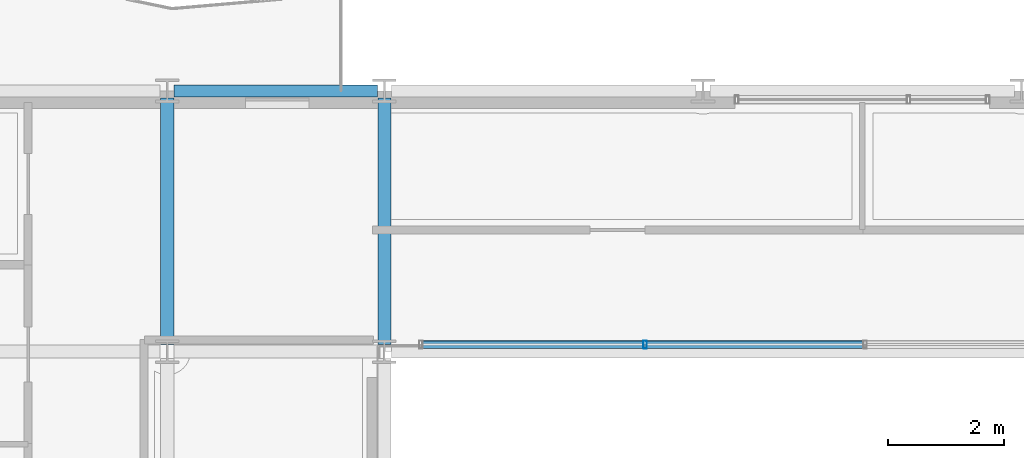
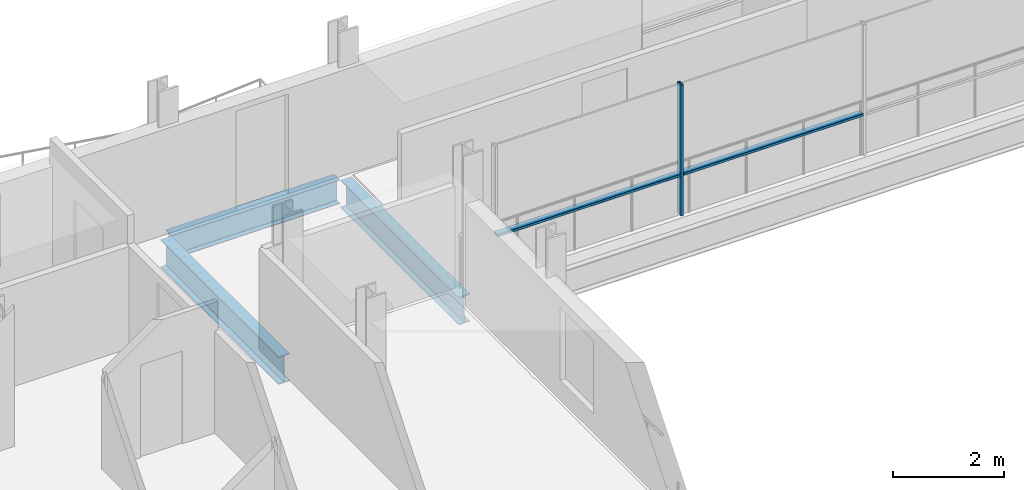
# One storey, part 11 of 38: 3 beams, 3 members, 1 element without a shape of its own.
"""IFC4 building model written with IfcOpenShell, lengths in metres."""

from ifc_helpers import new_model, si_unit, direction, frame, origin, origin_2d, place, context, subcontext, project, spatial, hollow_rectangle, i_section, extrude, material, layer, layer_set, material_profile, profile_set, type_object, element, aggregate, save


model = new_model("IFC4")

# Units and contexts
model_context = context("Model", 3, precision=1e-05, world=origin(), true_north=direction((0.0, 1.0)))
body_context = subcontext(model_context, "Body", "Model", "MODEL_VIEW")
ifc_project = project(units=[si_unit("LENGTHUNIT", "METRE"), si_unit("AREAUNIT", "SQUARE_METRE"), si_unit("VOLUMEUNIT", "CUBIC_METRE"), si_unit("PLANEANGLEUNIT", "RADIAN"), si_unit("MASSUNIT", "GRAM", prefix="KILO")], contexts=[model_context])

# Site, building, storey
site_placement = place(None, origin())
site = spatial("IfcSite", under=ifc_project, at=site_placement, CompositionType="ELEMENT")
building_placement = place(site_placement, origin())
building = spatial("IfcBuilding", under=site, at=building_placement, Name="Brevholm Reach", CompositionType="ELEMENT")
storey_placement = place(building_placement, frame((0.0, 0.0, 166.60009765625)))
storey = spatial("IfcBuildingStorey", under=building, at=storey_placement, Name="L50", CompositionType="ELEMENT", Elevation=166.60009765625)

# Beams
ifc_material_1 = material(Name="Structural Steel S355J2", Category="steel")
ifc_material_profile_1 = material_profile(ifc_material_1, i_section(OverallWidth=0.209228515625, OverallDepth=0.533203125, WebThickness=0.010009765625, FlangeThickness=0.015625, FilletRadius=0.0126953125, at=origin_2d()), Name="UKB 533x210x92")
ifc_profile_set_1 = profile_set([ifc_material_profile_1], Name="Structural Steel S355J2")
beam_type_1 = type_object("IfcBeamType", Name="BM-SP533", PredefinedType="SPANDREL", material=ifc_profile_set_1)
beam_placement = place(storey_placement, frame((18.1201171875, 31.0, -0.486572265625), z_axis=(1.0, 0.0, 0.0), x_axis=(0.0, 1.0, 0.0)))
element("IfcBeam", 1, at=beam_placement, inside=storey, type_object=beam_type_1, Name="L50 SP-02 Framing Beam", PredefinedType="SPANDREL", context=body_context, shape_type="SweptSolid", body=[
    extrude(i_section(OverallWidth=0.209228515625, OverallDepth=0.533203125, WebThickness=0.010009765625, FlangeThickness=0.015625, FilletRadius=0.0126953125, at=origin_2d()), origin(), (0.0, 0.0, 1.0), 3.509765625),
])
ifc_material_2 = material(Name="Structural Steel S355J2", Category="steel")
ifc_material_profile_2 = material_profile(ifc_material_2, i_section(OverallWidth=0.22900390625, OverallDepth=0.6123046875, WebThickness=0.011962890625, FlangeThickness=0.01953125, FilletRadius=0.0126953125, at=origin_2d()), Name="UKB 610x229x125")
ifc_profile_set_2 = profile_set([ifc_material_profile_2], Name="Structural Steel S355J2")
beam_type_2 = type_object("IfcBeamType", Name="BM-SP610", PredefinedType="SPANDREL", material=ifc_profile_set_2)
for number, where, z_axis, x_axis, name in (
    (2, (18.0, 26.6201171875, -0.526123046875), (0.0, 1.0, 0.0), (-1.0, 0.0, 0.0), "L50 SP-01 Framing Beam"),
    (3, (21.75, 26.6201171875, -0.526123046875), (0.0, 1.0, 0.0), (-1.0, 0.0, 0.0), "L50 SP-01 Framing Beam"),
):
    element("IfcBeam", number, at=place(storey_placement, frame(where, z_axis=z_axis, x_axis=x_axis)), inside=storey, type_object=beam_type_2, Name=name, PredefinedType="SPANDREL", context=body_context, shape_type="SweptSolid", body=[
        extrude(i_section(OverallWidth=0.22900390625, OverallDepth=0.6123046875, WebThickness=0.011962890625, FlangeThickness=0.01953125, FilletRadius=0.0126953125, at=origin_2d()), origin(), (0.0, 0.0, 1.0), 4.259765625),
    ])

# Curtain wall, members
ifc_material_3 = material(Name="Dark Anodised Aluminium 6063-T6 and Solar-Control Glass", Category="aluminium")
ifc_layer = layer(ifc_material_3, 0.139892578125)
ifc_layer_set = layer_set([ifc_layer], Name="Dark Anodised Aluminium 6063-T6 and Solar-Control Glass")
curtain_wall_type = type_object("IfcCurtainWallType", Name="CW-02", PredefinedType="NOTDEFINED", material=ifc_layer_set)
curtain_wall_placement = place(storey_placement, origin())
curtain_wall = element("IfcCurtainWall", 4, at=curtain_wall_placement, inside=storey, type_object=curtain_wall_type, Name="L50 Curtain Wall CW-02", PredefinedType="NOTDEFINED")
ifc_material_4 = material(Name="Dark Anodised Aluminium 6063-T6", Category="aluminium")
ifc_material_profile_3 = material_profile(ifc_material_4, hollow_rectangle(XDim=0.06005859375, YDim=0.139892578125, WallThickness=0.0048828125, InnerFilletRadius=0.0048828125, OuterFilletRadius=0.010009765625, at=origin_2d()), Name="RHS 140x60x5")
ifc_profile_set_3 = profile_set([ifc_material_profile_3], Name="Dark Anodised Aluminium 6063-T6")
member_type_1 = type_object("IfcMemberType", Name="CWM-140", PredefinedType="MULLION", material=ifc_profile_set_3)
member_1_placement = place(storey_placement, frame((26.25, 26.6201171875, 0.0), z_axis=(0.0, 0.0, 1.0), x_axis=(-1.0, 0.0, 0.0)))
member_1 = element("IfcMember", 5, at=member_1_placement, type_object=member_type_1, Name="CM-140 Mullion 4", PredefinedType="MULLION", context=body_context, shape_type="SweptSolid", body=[
    extrude(hollow_rectangle(XDim=0.06005859375, YDim=0.139892578125, WallThickness=0.0048828125, InnerFilletRadius=0.0048828125, OuterFilletRadius=0.010009765625, at=origin_2d()), origin(), (0.0, 0.0, 1.0), 2.8798828125),
])
ifc_material_5 = material(Name="Dark Anodised Aluminium 6063-T6", Category="aluminium")
ifc_material_profile_4 = material_profile(ifc_material_5, hollow_rectangle(XDim=0.06005859375, YDim=0.139892578125, WallThickness=0.0048828125, InnerFilletRadius=0.0048828125, OuterFilletRadius=0.010009765625, at=origin_2d()), Name="RHS 140x60x5")
ifc_profile_set_4 = profile_set([ifc_material_profile_4], Name="Dark Anodised Aluminium 6063-T6")
member_type_2 = type_object("IfcMemberType", Name="CWT-140", PredefinedType="NOTDEFINED", material=ifc_profile_set_4)
member_2_placement = place(storey_placement, frame((30.02001953125, 26.6201171875, 0.89990234375), z_axis=(-1.0, 0.0, 0.0), x_axis=(0.0, 0.0, 1.0)))
member_2 = element("IfcMember", 6, at=member_2_placement, type_object=member_type_2, Name="CT-140 Transom 3.1", ObjectType="TRANSOM", PredefinedType="USERDEFINED", context=body_context, shape_type="SweptSolid", body=[
    extrude(hollow_rectangle(XDim=0.06005859375, YDim=0.139892578125, WallThickness=0.0048828125, InnerFilletRadius=0.0048828125, OuterFilletRadius=0.010009765625, at=origin_2d()), origin(), (0.0, 0.0, 1.0), 3.739990234375),
])
member_3_placement = place(storey_placement, frame((26.219970703125, 26.6201171875, 0.89990234375), z_axis=(-1.0, 0.0, 0.0), x_axis=(0.0, 0.0, 1.0)))
member_3 = element("IfcMember", 7, at=member_3_placement, type_object=member_type_2, Name="CT-140 Transom 4.1", ObjectType="TRANSOM", PredefinedType="USERDEFINED", context=body_context, shape_type="SweptSolid", body=[
    extrude(hollow_rectangle(XDim=0.06005859375, YDim=0.139892578125, WallThickness=0.0048828125, InnerFilletRadius=0.0048828125, OuterFilletRadius=0.010009765625, at=origin_2d()), origin(), (0.0, 0.0, 1.0), 3.81005859375),
])
aggregate(curtain_wall, [member_1, member_2, member_3])

save(model, "model.ifc")
